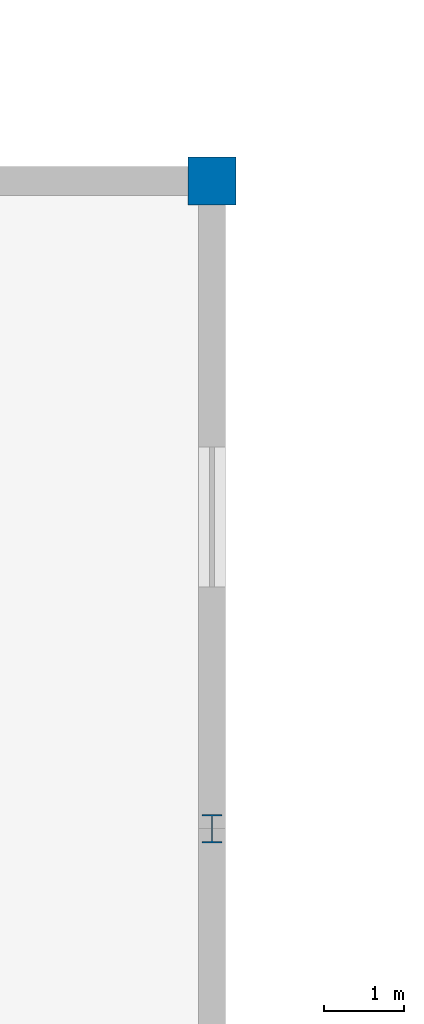
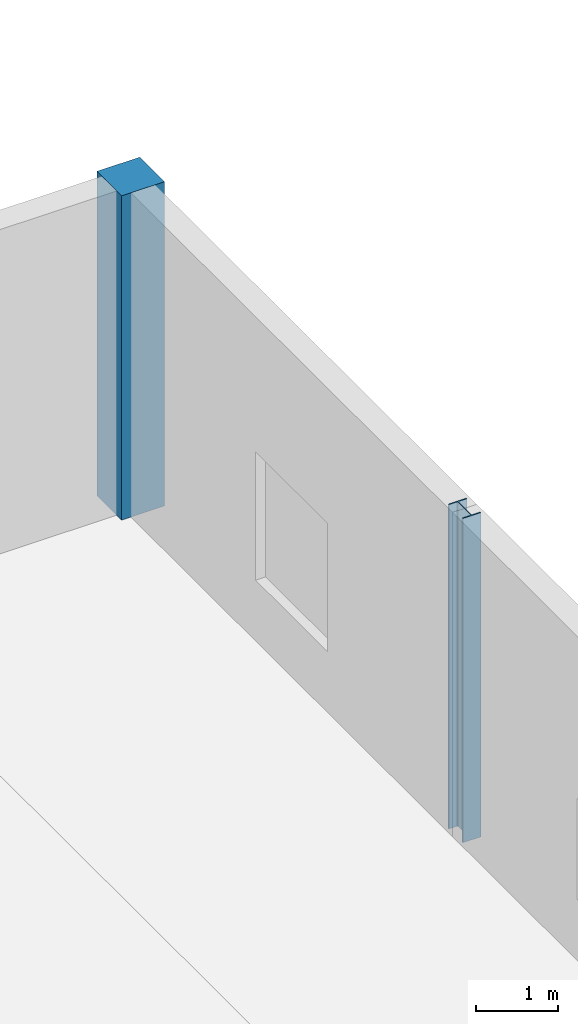
# One storey, part 9 of 56: 2 columns.
"""IFC4 building model written with IfcOpenShell, lengths in metres."""

from ifc_helpers import new_model, si_unit, direction, frame, origin, origin_2d, place, context, subcontext, project, spatial, rectangle, i_section, extrude, material, material_profile, profile_set, type_object, element, save


model = new_model("IFC4")

# Units and contexts
model_context = context("Model", 3, precision=1e-05, world=origin(), true_north=direction((0.0, 1.0)))
body_context = subcontext(model_context, "Body", "Model", "MODEL_VIEW")
ifc_project = project(units=[si_unit("LENGTHUNIT", "METRE"), si_unit("AREAUNIT", "SQUARE_METRE"), si_unit("VOLUMEUNIT", "CUBIC_METRE"), si_unit("PLANEANGLEUNIT", "RADIAN"), si_unit("MASSUNIT", "GRAM", prefix="KILO")], contexts=[model_context])

# Site, building, storey
site_placement = place(None, origin())
site = spatial("IfcSite", under=ifc_project, at=site_placement, CompositionType="ELEMENT")
building_placement = place(site_placement, origin())
building = spatial("IfcBuilding", under=site, at=building_placement, Name="Parian Resonance Hall", CompositionType="ELEMENT")
storey_placement = place(building_placement, frame((0.0, 0.0, 5.39990234375)))
storey = spatial("IfcBuildingStorey", under=building, at=storey_placement, Name="L01", CompositionType="ELEMENT", Elevation=5.39990234375)

# Columns
ifc_material_1 = material(Name="Concrete C40/50", Category="concrete")
ifc_material_profile_1 = material_profile(ifc_material_1, rectangle(XDim=0.60009765625, YDim=0.60009765625, at=origin_2d()), Name="RC-COL-600x600")
ifc_profile_set_1 = profile_set([ifc_material_profile_1], Name="Concrete C40/50")
column_type_1 = type_object("IfcColumnType", Name="COL-RC600", PredefinedType="COLUMN", material=ifc_profile_set_1)
column_1_placement = place(storey_placement, frame((24.300048828125, 105.300048828125, 0.0), z_axis=(0.0, 0.0, 1.0), x_axis=(1.0, 0.0, 0.0)))
element("IfcColumn", 1, at=column_1_placement, inside=storey, type_object=column_type_1, Name="Column G04-14 L01", PredefinedType="COLUMN", context=body_context, shape_type="SweptSolid", body=[
    extrude(rectangle(XDim=0.60009765625, YDim=0.60009765625, at=origin_2d()), origin(), (0.0, 0.0, 1.0), 4.800048828125),
])
ifc_material_2 = material(Name="Steel S355", Category="steel")
ifc_material_profile_2 = material_profile(ifc_material_2, i_section(OverallWidth=0.2548828125, OverallDepth=0.35693359375, WebThickness=0.010498046875, FlangeThickness=0.018310546875, FilletRadius=0.01513671875, at=origin_2d()), Name="W360x101")
ifc_profile_set_2 = profile_set([ifc_material_profile_2], Name="Steel S355")
column_type_2 = type_object("IfcColumnType", Name="COL-W360", PredefinedType="COLUMN", material=ifc_profile_set_2)
column_2_placement = place(storey_placement, frame((24.300048828125, 97.199951171875, 0.0), z_axis=(0.0, 0.0, 1.0), x_axis=(1.0, 0.0, 0.0)))
element("IfcColumn", 2, at=column_2_placement, inside=storey, type_object=column_type_2, Name="Column G04-13 L01", PredefinedType="COLUMN", context=body_context, shape_type="SweptSolid", body=[
    extrude(i_section(OverallWidth=0.2548828125, OverallDepth=0.35693359375, WebThickness=0.010498046875, FlangeThickness=0.018310546875, FilletRadius=0.01513671875, at=origin_2d()), origin(), (0.0, 0.0, 1.0), 4.800048828125),
])

save(model, "model.ifc")
